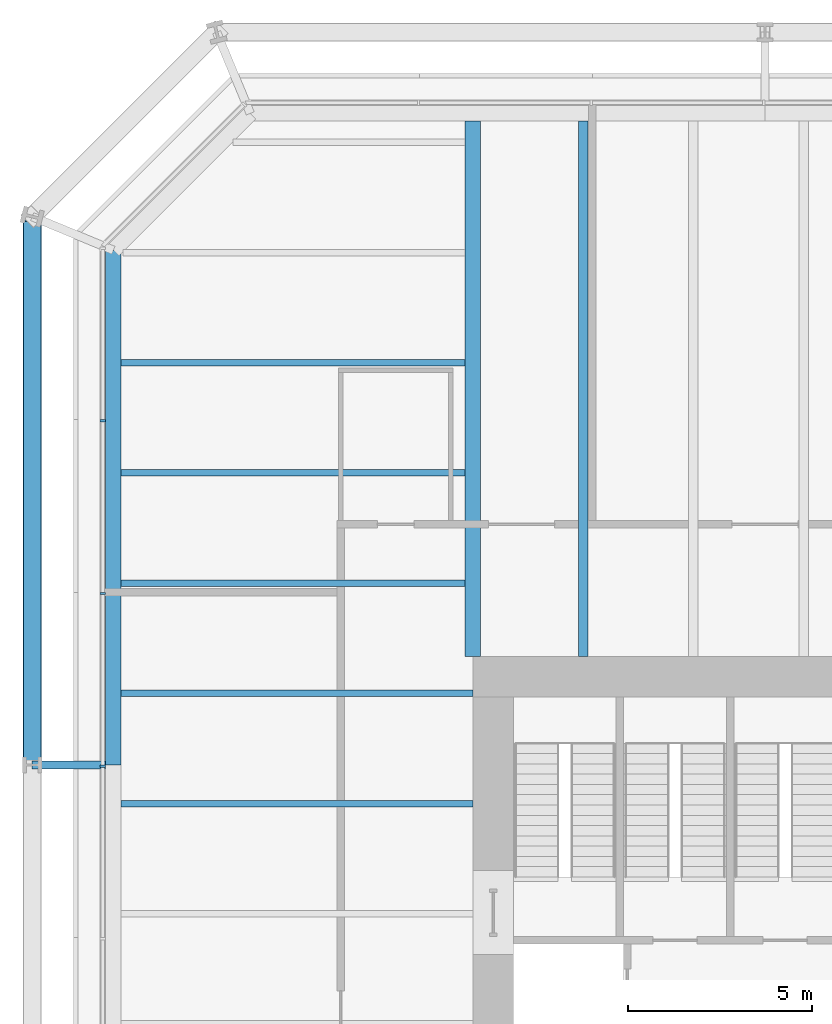
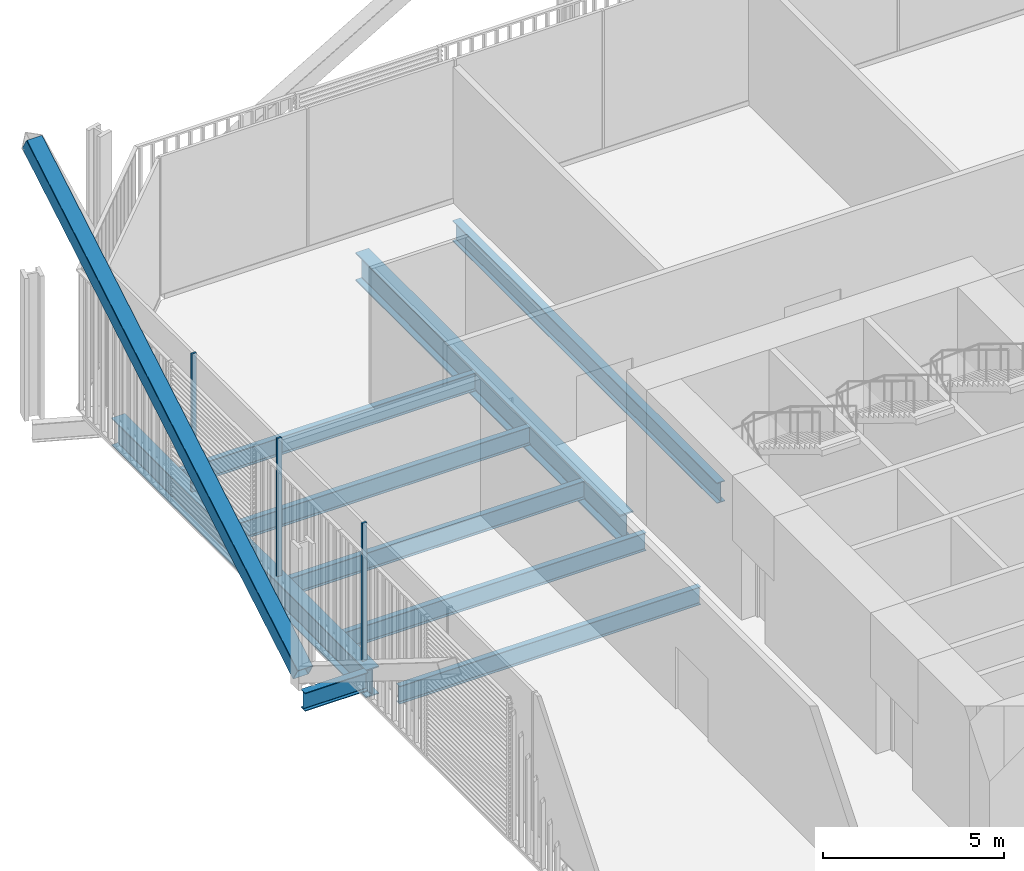
# One storey, part 12 of 22: 9 beams, 4 members, 1 element without a shape of its own.
"""IFC4 building model written with IfcOpenShell, lengths in metres."""

from ifc_helpers import new_model, si_unit, direction, frame, origin, origin_2d, place, context, subcontext, project, spatial, rectangle, hollow_rectangle, i_section, extrude, material, layer, layer_set, material_profile, profile_set, type_object, element, aggregate, save


model = new_model("IFC4")

# Units and contexts
model_context = context("Model", 3, precision=1e-05, world=origin(), true_north=direction((0.0, 1.0)))
body_context = subcontext(model_context, "Body", "Model", "MODEL_VIEW")
ifc_project = project(units=[si_unit("LENGTHUNIT", "METRE"), si_unit("AREAUNIT", "SQUARE_METRE"), si_unit("VOLUMEUNIT", "CUBIC_METRE"), si_unit("PLANEANGLEUNIT", "RADIAN"), si_unit("MASSUNIT", "GRAM", prefix="KILO")], contexts=[model_context])

# Site, building, storey
site_placement = place(None, origin())
site = spatial("IfcSite", under=ifc_project, at=site_placement, CompositionType="ELEMENT")
building_placement = place(site_placement, origin())
building = spatial("IfcBuilding", under=site, at=building_placement, Name="Millrace Tower", CompositionType="ELEMENT")
storey_placement = place(building_placement, frame((0.0, 0.0, 35.300048828125)))
storey = spatial("IfcBuildingStorey", under=building, at=storey_placement, Name="L08", CompositionType="ELEMENT", Elevation=35.300048828125)

# Curtain wall, members
ifc_material_1 = material(Name="Aluminium and glass", Category="aluminium")
ifc_layer = layer(ifc_material_1, 0.14990234375)
ifc_layer_set = layer_set([ifc_layer], Name="Aluminium and glass")
curtain_wall_type = type_object("IfcCurtainWallType", Name="CW-2 data hall insulated curtain wall", PredefinedType="NOTDEFINED", material=ifc_layer_set)
curtain_wall_placement = place(storey_placement, origin())
curtain_wall = element("IfcCurtainWall", 1, at=curtain_wall_placement, inside=storey, type_object=curtain_wall_type, Name="Curtain wall A-F08 L08", PredefinedType="NOTDEFINED")
ifc_material_2 = material(Name="Aluminium", Category="aluminium")
ifc_material_profile_1 = material_profile(ifc_material_2, rectangle(XDim=0.06494140625, YDim=0.14990234375, at=origin_2d()))
ifc_profile_set_1 = profile_set([ifc_material_profile_1], Name="Aluminium")
member_type_1 = type_object("IfcMemberType", Name="CW-2 data hall insulated curtain wall mullion", PredefinedType="MULLION", material=ifc_profile_set_1)
member_1_placement = place(storey_placement, frame((-25.074951171875, 16.41748046875, 0.159912109375), z_axis=(0.0, 0.0, 1.0), x_axis=(0.0, -1.0, 0.0)))
member_1 = element("IfcMember", 2, at=member_1_placement, type_object=member_type_1, Name="CW2 mullion A-F08.2", PredefinedType="MULLION", context=body_context, shape_type="SweptSolid", body=[
    extrude(rectangle(XDim=0.06494140625, YDim=0.14990234375, at=origin_2d()), origin(), (0.0, 0.0, 1.0), 4.64013671875),
])
member_2_placement = place(storey_placement, frame((-25.074951171875, 11.717529296875, 0.159912109375), z_axis=(0.0, 0.0, 1.0), x_axis=(0.0, -1.0, 0.0)))
member_2 = element("IfcMember", 3, at=member_2_placement, type_object=member_type_1, Name="CW2 mullion A-F08.3", PredefinedType="MULLION", context=body_context, shape_type="SweptSolid", body=[
    extrude(rectangle(XDim=0.06494140625, YDim=0.14990234375, at=origin_2d()), origin(), (0.0, 0.0, 1.0), 4.64013671875),
])
member_3_placement = place(storey_placement, frame((-25.074951171875, 7.017578125, 0.159912109375), z_axis=(0.0, 0.0, 1.0), x_axis=(0.0, -1.0, 0.0)))
member_3 = element("IfcMember", 4, at=member_3_placement, type_object=member_type_1, Name="CW2 mullion A-F08.4", PredefinedType="MULLION", context=body_context, shape_type="SweptSolid", body=[
    extrude(rectangle(XDim=0.06494140625, YDim=0.14990234375, at=origin_2d()), origin(), (0.0, 0.0, 1.0), 4.64013671875),
])
aggregate(curtain_wall, [member_1, member_2, member_3])

# Member
ifc_material_3 = material(Name="Steel ASTM A500 Grade C", Category="steel")
ifc_material_profile_2 = material_profile(ifc_material_3, hollow_rectangle(XDim=0.508056640625, YDim=0.508056640625, WallThickness=0.01904296875, InnerFilletRadius=0.009521484375, OuterFilletRadius=0.028564453125, at=origin_2d()))
ifc_profile_set_2 = profile_set([ifc_material_profile_2], Name="Steel ASTM A500 Grade C")
member_type_2 = type_object("IfcMemberType", Name="Exoskeleton brace HSS20x20x3/4", PredefinedType="BRACE", material=ifc_profile_set_2)
member_4_placement = place(storey_placement, frame((-27.0, 7.050048828125, 0.39990234375), z_axis=(0.0, 0.861464835883, 0.507817227491), x_axis=(-1.0, 0.0, 0.0)))
element("IfcMember", 5, at=member_4_placement, inside=storey, type_object=member_type_2, Name="BRC-A-L08-14", PredefinedType="BRACE", context=body_context, shape_type="SweptSolid", body=[
    extrude(hollow_rectangle(XDim=0.508056640625, YDim=0.508056640625, WallThickness=0.01904296875, InnerFilletRadius=0.009521484375, OuterFilletRadius=0.028564453125, at=origin_2d()), origin(), (0.0, 0.0, 1.0), 17.3291015625),
])

# Beams
ifc_material_4 = material(Name="Steel ASTM A992 Grade 50", Category="steel")
ifc_material_profile_3 = material_profile(ifc_material_4, i_section(OverallWidth=0.1787109375, OverallDepth=0.60205078125, WebThickness=0.010986328125, FlangeThickness=0.014892578125, FilletRadius=0.0126953125, at=origin_2d()))
ifc_profile_set_3 = profile_set([ifc_material_profile_3], Name="Steel ASTM A992 Grade 50")
beam_type_1 = type_object("IfcBeamType", Name="Floor beam W24x62", PredefinedType="JOIST", material=ifc_profile_set_3)
for number, where, z_axis, x_axis, name in (
    (6, (-24.578369140625, 6.0, -0.526123046875), (1.0, 0.0, 0.0), (0.0, 1.0, 0.0), "BM-A-L08-S1-S027"),
    (7, (-24.578369140625, 9.0, -0.526123046875), (1.0, 0.0, 0.0), (0.0, 1.0, 0.0), "BM-A-L08-S1-S030"),
):
    element("IfcBeam", number, at=place(storey_placement, frame(where, z_axis=z_axis, x_axis=x_axis)), inside=storey, type_object=beam_type_1, Name=name, PredefinedType="JOIST", context=body_context, shape_type="SweptSolid", body=[
        extrude(i_section(OverallWidth=0.1787109375, OverallDepth=0.60205078125, WebThickness=0.010986328125, FlangeThickness=0.014892578125, FilletRadius=0.0126953125, at=origin_2d()), origin(), (0.0, 0.0, 1.0), 9.578369140625),
    ])
for number, where, z_axis, x_axis, name in (
    (8, (-24.578369140625, 12.0, -0.526123046875), (1.0, 0.0, 0.0), (0.0, 1.0, 0.0), "BM-A-L08-S1-S032"),
    (9, (-24.578369140625, 15.0, -0.526123046875), (1.0, 0.0, 0.0), (0.0, 1.0, 0.0), "BM-A-L08-S1-S034"),
    (10, (-24.578369140625, 18.0, -0.526123046875), (1.0, 0.0, 0.0), (0.0, 1.0, 0.0), "BM-A-L08-S1-S036"),
):
    element("IfcBeam", number, at=place(storey_placement, frame(where, z_axis=z_axis, x_axis=x_axis)), inside=storey, type_object=beam_type_1, Name=name, PredefinedType="JOIST", context=body_context, shape_type="SweptSolid", body=[
        extrude(i_section(OverallWidth=0.1787109375, OverallDepth=0.60205078125, WebThickness=0.010986328125, FlangeThickness=0.014892578125, FilletRadius=0.0126953125, at=origin_2d()), origin(), (0.0, 0.0, 1.0), 9.3662109375),
    ])
ifc_material_5 = material(Name="Steel ASTM A992 Grade 50", Category="steel")
ifc_material_profile_4 = material_profile(ifc_material_5, i_section(OverallWidth=0.256591796875, OverallDepth=0.693359375, WebThickness=0.014404296875, FlangeThickness=0.023681640625, FilletRadius=0.01513671875, at=origin_2d()))
ifc_profile_set_4 = profile_set([ifc_material_profile_4], Name="Steel ASTM A992 Grade 50")
beam_type_2 = type_object("IfcBeamType", Name="Floor beam W27x114", PredefinedType="JOIST", material=ifc_profile_set_4)
beam_1_placement = place(storey_placement, frame((-12.0, 10.0, -0.57177734375), z_axis=(0.0, 1.0, 0.0), x_axis=(-1.0, 0.0, 0.0)))
element("IfcBeam", 11, at=beam_1_placement, inside=storey, type_object=beam_type_2, Name="BM-A-L08-S1-S042", PredefinedType="JOIST", context=body_context, shape_type="SweptSolid", body=[
    extrude(i_section(OverallWidth=0.256591796875, OverallDepth=0.693359375, WebThickness=0.014404296875, FlangeThickness=0.023681640625, FilletRadius=0.01513671875, at=origin_2d()), origin(), (0.0, 0.0, 1.0), 14.578369140625),
])
ifc_material_6 = material(Name="Steel ASTM A992 Grade 50", Category="steel")
ifc_material_profile_5 = material_profile(ifc_material_6, i_section(OverallWidth=0.424072265625, OverallDepth=0.947509765625, WebThickness=0.02392578125, FlangeThickness=0.042724609375, FilletRadius=0.024169921875, at=origin_2d()))
ifc_profile_set_5 = profile_set([ifc_material_profile_5], Name="Steel ASTM A992 Grade 50")
beam_type_3 = type_object("IfcBeamType", Name="Girder medium span W36x302", PredefinedType="BEAM", material=ifc_profile_set_5)
beam_2_placement = place(storey_placement, frame((-15.0, 10.0, -0.69873046875), z_axis=(0.0, 1.0, 0.0), x_axis=(-1.0, 0.0, 0.0)))
element("IfcBeam", 12, at=beam_2_placement, inside=storey, type_object=beam_type_3, Name="BM-A-L08-S1-G060", PredefinedType="BEAM", context=body_context, shape_type="SweptSolid", body=[
    extrude(i_section(OverallWidth=0.424072265625, OverallDepth=0.947509765625, WebThickness=0.02392578125, FlangeThickness=0.042724609375, FilletRadius=0.024169921875, at=origin_2d()), origin(), (0.0, 0.0, 1.0), 14.578369140625),
])
ifc_material_7 = material(Name="Steel ASTM A992 Grade 50", Category="steel")
ifc_material_profile_6 = material_profile(ifc_material_7, i_section(OverallWidth=0.23046875, OverallDepth=0.6171875, WebThickness=0.01318359375, FlangeThickness=0.022216796875, FilletRadius=0.012939453125, at=origin_2d()))
ifc_profile_set_6 = profile_set([ifc_material_profile_6], Name="Steel ASTM A992 Grade 50")
beam_type_4 = type_object("IfcBeamType", Name="Link beam W24x94", PredefinedType="BEAM", material=ifc_profile_set_6)
beam_3_placement = place(storey_placement, frame((-25.0, 7.050048828125, -0.53369140625), z_axis=(-1.0, 0.0, 0.0), x_axis=(0.0, -1.0, 0.0)))
element("IfcBeam", 13, at=beam_3_placement, inside=storey, type_object=beam_type_4, Name="LNK-A-L08-S1-03", PredefinedType="BEAM", context=body_context, shape_type="SweptSolid", body=[
    extrude(i_section(OverallWidth=0.23046875, OverallDepth=0.6171875, WebThickness=0.01318359375, FlangeThickness=0.022216796875, FilletRadius=0.012939453125, at=origin_2d()), origin(), (0.0, 0.0, 1.0), 2.0),
])
ifc_material_8 = material(Name="Steel ASTM A992 Grade 50", Category="steel")
ifc_material_profile_7 = material_profile(ifc_material_8, i_section(OverallWidth=0.421630859375, OverallDepth=0.937255859375, WebThickness=0.021240234375, FlangeThickness=0.03662109375, FilletRadius=0.024169921875, at=origin_2d()))
ifc_profile_set_7 = profile_set([ifc_material_profile_7], Name="Steel ASTM A992 Grade 50")
beam_type_5 = type_object("IfcBeamType", Name="Ring beam medium span W36x262", PredefinedType="SPANDREL", material=ifc_profile_set_7)
beam_4_placement = place(storey_placement, frame((-24.7890625, 7.050048828125, -0.693603515625), z_axis=(0.0, 1.0, 0.0), x_axis=(-1.0, 0.0, 0.0)))
element("IfcBeam", 14, at=beam_4_placement, inside=storey, type_object=beam_type_5, Name="RNG-A-L08-S1-03", PredefinedType="SPANDREL", context=body_context, shape_type="SweptSolid", body=[
    extrude(i_section(OverallWidth=0.421630859375, OverallDepth=0.937255859375, WebThickness=0.021240234375, FlangeThickness=0.03662109375, FilletRadius=0.024169921875, at=origin_2d()), origin(), (0.0, 0.0, 1.0), 14.0126953125),
])

save(model, "model.ifc")
